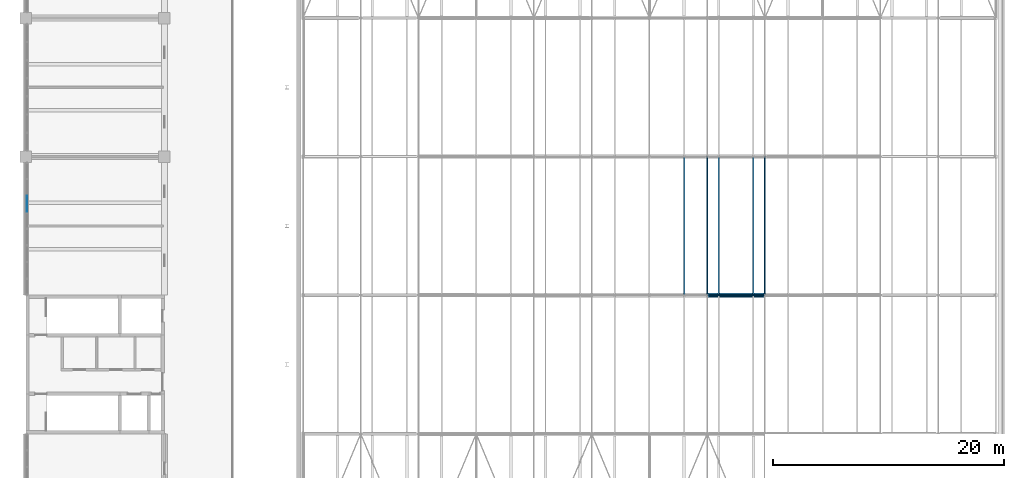
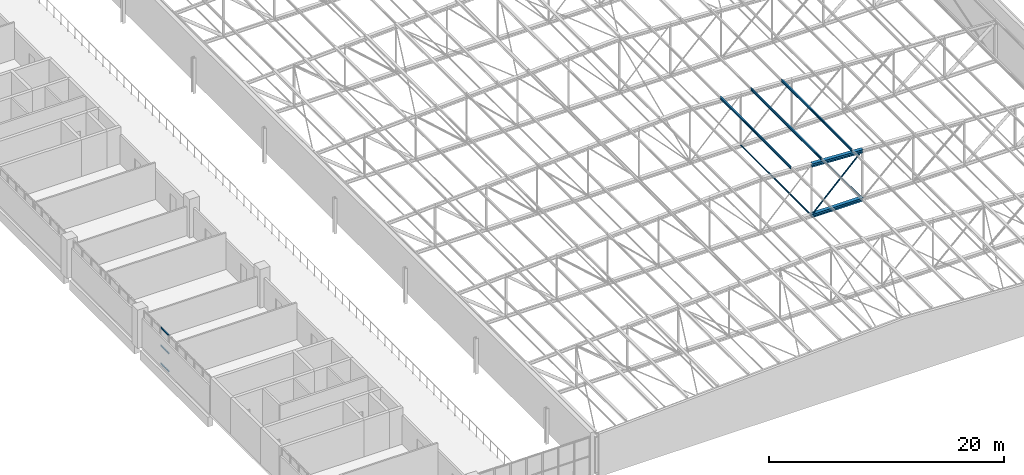
# One storey, part 23 of 156: 11 members, 1 element without a shape of its own.
"""IFC4 building model written with IfcOpenShell, lengths in metres."""

from ifc_helpers import new_model, si_unit, direction, frame, origin, origin_2d, place, context, subcontext, project, spatial, rectangle, hollow_circle, i_section, extrude, material, layer, layer_set, material_profile, profile_set, type_object, element, aggregate, save


model = new_model("IFC4")

# Units and contexts
model_context = context("Model", 3, precision=1e-05, world=origin(), true_north=direction((0.0, 1.0)))
body_context = subcontext(model_context, "Body", "Model", "MODEL_VIEW")
ifc_project = project(units=[si_unit("LENGTHUNIT", "METRE"), si_unit("AREAUNIT", "SQUARE_METRE"), si_unit("VOLUMEUNIT", "CUBIC_METRE"), si_unit("PLANEANGLEUNIT", "RADIAN"), si_unit("MASSUNIT", "GRAM", prefix="KILO")], contexts=[model_context])

# Site, building, storey
site_placement = place(None, origin())
site = spatial("IfcSite", under=ifc_project, at=site_placement, CompositionType="ELEMENT")
building_placement = place(site_placement, origin())
building = spatial("IfcBuilding", under=site, at=building_placement, Name="Lilac Gate Convention Centre", CompositionType="ELEMENT")
storey_placement = place(building_placement, frame((0.0, 0.0, 17.0)))
storey = spatial("IfcBuildingStorey", under=building, at=storey_placement, Name="L03", CompositionType="ELEMENT", Elevation=17.0)

# Members
ifc_material_1 = material(Name="Steel Q355B", Category="steel")
ifc_material_profile_1 = material_profile(ifc_material_1, hollow_circle(Radius=0.06982421875, WallThickness=0.0048828125, at=origin_2d()), Name="CHS139.7x5")
ifc_profile_set_1 = profile_set([ifc_material_profile_1], Name="Steel Q355B")
member_type_1 = type_object("IfcMemberType", Name="Bottom chord tie CHS139.7x5", PredefinedType="STRUT", material=ifc_profile_set_1)
member_1_placement = place(storey_placement, frame((65.0, 54.009521484375, 0.0), z_axis=(0.0, 1.0, 0.0), x_axis=(-1.0, 0.0, 0.0)))
element("IfcMember", 1, at=member_1_placement, inside=storey, type_object=member_type_1, Name="ST1 tie bay 3 node 8", PredefinedType="STRUT", context=body_context, shape_type="SweptSolid", body=[
    extrude(hollow_circle(Radius=0.06982421875, WallThickness=0.0048828125, at=origin_2d()), origin(), (0.0, 0.0, 1.0), 11.98095703125),
])
member_2_placement = place(storey_placement, frame((70.0, 54.006103515625, 0.0), z_axis=(0.0, 1.0, 0.0), x_axis=(-1.0, 0.0, 0.0)))
element("IfcMember", 2, at=member_2_placement, inside=storey, type_object=member_type_1, Name="ST1 tie bay 3 node 9", PredefinedType="STRUT", context=body_context, shape_type="SweptSolid", body=[
    extrude(hollow_circle(Radius=0.06982421875, WallThickness=0.0048828125, at=origin_2d()), origin(), (0.0, 0.0, 1.0), 11.98779296875),
])

# Curtain wall, members
ifc_material_2 = material(Name="Aluminium framed double glazing", Category="aluminium")
ifc_layer = layer(ifc_material_2, 0.199951171875)
ifc_layer_set = layer_set([ifc_layer], Name="Aluminium framed double glazing")
curtain_wall_type = type_object("IfcCurtainWallType", Name="Unitised curtain wall 1500", PredefinedType="NOTDEFINED", material=ifc_layer_set)
curtain_wall_placement = place(storey_placement, origin())
curtain_wall = element("IfcCurtainWall", 3, at=curtain_wall_placement, inside=storey, type_object=curtain_wall_type, Name="Curtain wall PW L03 11", PredefinedType="NOTDEFINED")
ifc_material_3 = material(Name="Aluminium alloy 6063", Category="aluminium")
ifc_material_profile_2 = material_profile(ifc_material_3, rectangle(XDim=0.06005859375, YDim=0.1201171875, at=origin_2d()), Name="Curtain wall transom 60 x 120")
ifc_profile_set_2 = profile_set([ifc_material_profile_2], Name="Aluminium alloy 6063")
member_type_2 = type_object("IfcMemberType", Name="Curtain wall transom 60 x 120", PredefinedType="USERDEFINED", material=ifc_profile_set_2)
member_3_placement = place(storey_placement, frame((6.10009765625, 62.594970703125, 0.030029296875), z_axis=(0.0, -1.0, 0.0), x_axis=(1.0, 0.0, 0.0)))
member_3 = element("IfcMember", 4, at=member_3_placement, type_object=member_type_2, Name="CW transom 3.1", ObjectType="TRANSOM", PredefinedType="USERDEFINED", context=body_context, shape_type="SweptSolid", body=[
    extrude(rectangle(XDim=0.06005859375, YDim=0.1201171875, at=origin_2d()), origin(), (0.0, 0.0, 1.0), 1.37744140625),
])
member_4_placement = place(storey_placement, frame((6.10009765625, 62.594970703125, 1.89990234375), z_axis=(0.0, -1.0, 0.0), x_axis=(1.0, 0.0, 0.0)))
member_4 = element("IfcMember", 5, at=member_4_placement, type_object=member_type_2, Name="CW transom 3.2", ObjectType="TRANSOM", PredefinedType="USERDEFINED", context=body_context, shape_type="SweptSolid", body=[
    extrude(rectangle(XDim=0.06005859375, YDim=0.1201171875, at=origin_2d()), origin(), (0.0, 0.0, 1.0), 1.37744140625),
])
member_5_placement = place(storey_placement, frame((6.10009765625, 62.594970703125, 3.77001953125), z_axis=(0.0, -1.0, 0.0), x_axis=(1.0, 0.0, 0.0)))
member_5 = element("IfcMember", 6, at=member_5_placement, type_object=member_type_2, Name="CW transom 3.3", ObjectType="TRANSOM", PredefinedType="USERDEFINED", context=body_context, shape_type="SweptSolid", body=[
    extrude(rectangle(XDim=0.06005859375, YDim=0.1201171875, at=origin_2d()), origin(), (0.0, 0.0, 1.0), 1.37744140625),
])
aggregate(curtain_wall, [member_3, member_4, member_5])

# Members
ifc_material_profile_3 = material_profile(ifc_material_1, i_section(OverallWidth=0.125, OverallDepth=0.25, WebThickness=0.006103515625, FlangeThickness=0.009033203125, FilletRadius=0.008056640625, at=origin_2d()), Name="HN250x125x6x9")
ifc_profile_set_3 = profile_set([ifc_material_profile_3], Name="Steel Q355B")
member_type_3 = type_object("IfcMemberType", Name="Roof purlin HN250x125x6x9", PredefinedType="PURLIN", material=ifc_profile_set_3)
for number, where, z_axis, x_axis, name in (
    (7, (63.0, 54.0, 5.650146484375), (0.0, 1.0, 0.0), (-1.0, 0.0, 0.0), "PU2 purlin bay 3 line 12"),
    (8, (66.0, 54.0, 5.500244140625), (0.0, 1.0, 0.0), (-1.0, 0.0, 0.0), "PU2 purlin bay 3 line 13"),
    (9, (69.0, 54.0, 5.35009765625), (0.0, 1.0, 0.0), (-1.0, 0.0, 0.0), "PU2 purlin bay 3 line 14"),
):
    element("IfcMember", number, at=place(storey_placement, frame(where, z_axis=z_axis, x_axis=x_axis)), inside=storey, type_object=member_type_3, Name=name, PredefinedType="PURLIN", context=body_context, shape_type="SweptSolid", body=[
        extrude(i_section(OverallWidth=0.125, OverallDepth=0.25, WebThickness=0.006103515625, FlangeThickness=0.009033203125, FilletRadius=0.008056640625, at=origin_2d()), origin(), (0.0, 0.0, 1.0), 12.0),
    ])
ifc_material_profile_4 = material_profile(ifc_material_1, i_section(OverallWidth=0.35693359375, OverallDepth=0.35009765625, WebThickness=0.01904296875, FlangeThickness=0.01904296875, FilletRadius=0.012939453125, at=origin_2d()), Name="HW350x357x19x19")
ifc_profile_set_4 = profile_set([ifc_material_profile_4], Name="Steel Q355B")
member_type_4 = type_object("IfcMemberType", Name="Truss bottom chord HW350x357x19x19", PredefinedType="CHORD", material=ifc_profile_set_4)
member_6_placement = place(storey_placement, frame((65.0, 54.0, 0.0), z_axis=(1.0, 0.0, 0.0), x_axis=(0.0, 1.0, 0.0)))
element("IfcMember", 10, at=member_6_placement, inside=storey, type_object=member_type_4, Name="TB3 truss 3 bottom chord 8", PredefinedType="CHORD", context=body_context, shape_type="SweptSolid", body=[
    extrude(i_section(OverallWidth=0.35693359375, OverallDepth=0.35009765625, WebThickness=0.01904296875, FlangeThickness=0.01904296875, FilletRadius=0.012939453125, at=origin_2d()), origin(), (0.0, 0.0, 1.0), 5.0),
])
ifc_material_profile_5 = material_profile(ifc_material_1, hollow_circle(Radius=0.06982421875, WallThickness=0.006103515625, at=origin_2d()), Name="CHS139.7x6")
ifc_profile_set_5 = profile_set([ifc_material_profile_5], Name="Steel Q355B")
member_type_5 = type_object("IfcMemberType", Name="Truss diagonal CHS139.7x6", PredefinedType="BRACE", material=ifc_profile_set_5)
member_7_placement = place(storey_placement, frame((69.835693359375, 54.0, 4.835693359375), z_axis=(-0.707106781187, 0.0, -0.707106781187), x_axis=(0.0, -1.0, 0.0)))
element("IfcMember", 11, at=member_7_placement, inside=storey, type_object=member_type_5, Name="TW5 truss 3 diagonal 8", PredefinedType="BRACE", context=body_context, shape_type="SweptSolid", body=[
    extrude(hollow_circle(Radius=0.06982421875, WallThickness=0.006103515625, at=origin_2d()), origin(), (0.0, 0.0, 1.0), 6.591064453125),
])
ifc_material_profile_6 = material_profile(ifc_material_1, i_section(OverallWidth=0.35009765625, OverallDepth=0.35009765625, WebThickness=0.011962890625, FlangeThickness=0.01904296875, FilletRadius=0.012939453125, at=origin_2d()), Name="HW350x350x12x19")
ifc_profile_set_6 = profile_set([ifc_material_profile_6], Name="Steel Q355B")
member_type_6 = type_object("IfcMemberType", Name="Truss top chord HW350x350x12x19", PredefinedType="CHORD", material=ifc_profile_set_6)
member_8_placement = place(storey_placement, frame((65.0, 54.0, 5.25), z_axis=(0.998752338878, 0.0, -0.049937616944), x_axis=(0.0, 1.0, 0.0)))
element("IfcMember", 12, at=member_8_placement, inside=storey, type_object=member_type_6, Name="TT2 truss 3 top chord 8", PredefinedType="CHORD", context=body_context, shape_type="SweptSolid", body=[
    extrude(i_section(OverallWidth=0.35009765625, OverallDepth=0.35009765625, WebThickness=0.011962890625, FlangeThickness=0.01904296875, FilletRadius=0.012939453125, at=origin_2d()), origin(), (0.0, 0.0, 1.0), 5.00634765625),
])

save(model, "model.ifc")
